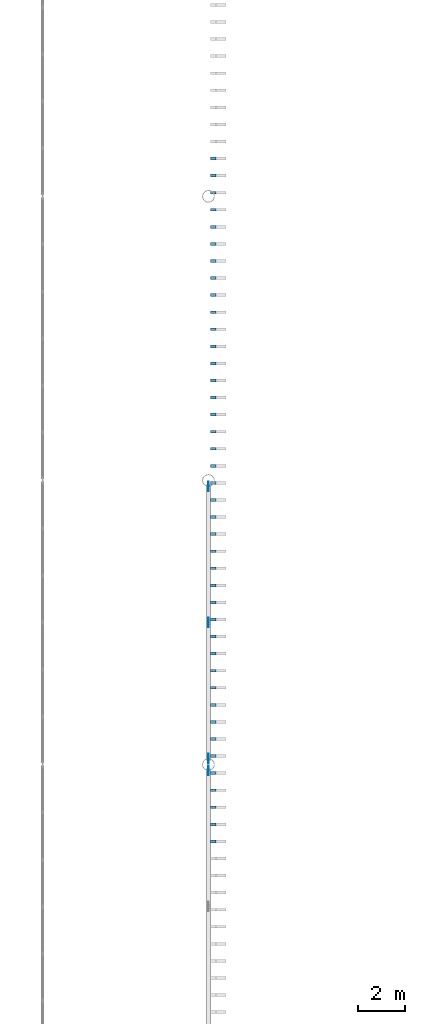
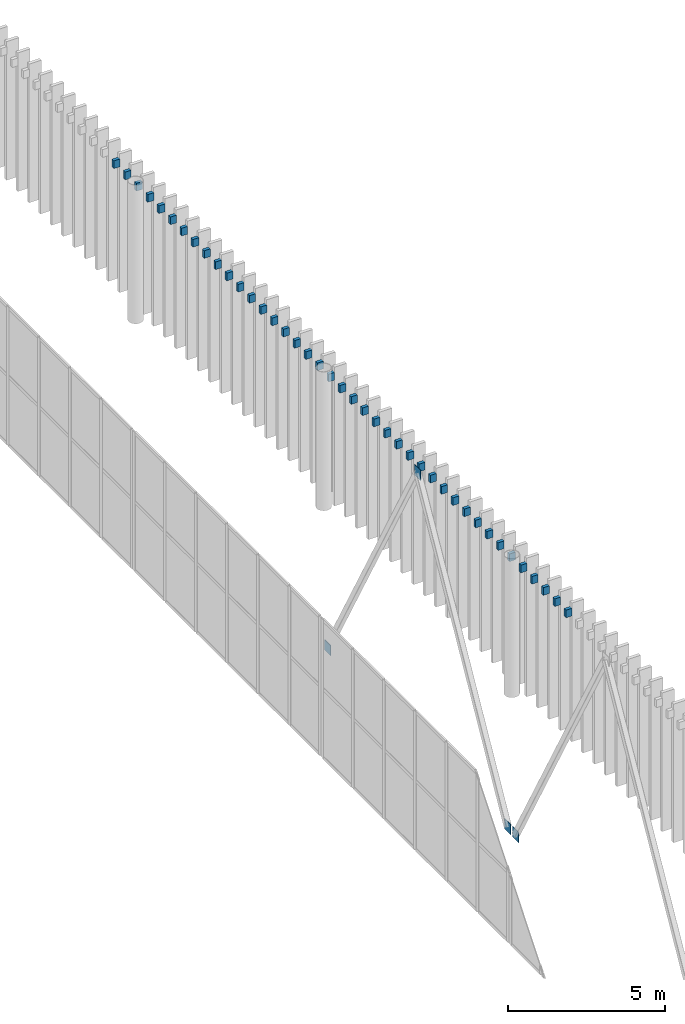
# One storey, part 135 of 170: 45 discrete accessories.
"""IFC4 building model written with IfcOpenShell, lengths in metres."""

from ifc_helpers import new_model, si_unit, direction, frame, origin, origin_2d, place, context, subcontext, project, spatial, rectangle, extrude, material, material_profile, profile_set, type_object, element, save


model = new_model("IFC4")

# Units and contexts
model_context = context("Model", 3, precision=1e-05, world=origin(), true_north=direction((0.0, 1.0)))
body_context = subcontext(model_context, "Body", "Model", "MODEL_VIEW")
ifc_project = project(units=[si_unit("LENGTHUNIT", "METRE"), si_unit("AREAUNIT", "SQUARE_METRE"), si_unit("VOLUMEUNIT", "CUBIC_METRE"), si_unit("PLANEANGLEUNIT", "RADIAN"), si_unit("MASSUNIT", "GRAM", prefix="KILO")], contexts=[model_context])

# Site, building, storey
site_placement = place(None, origin())
site = spatial("IfcSite", under=ifc_project, at=site_placement, CompositionType="ELEMENT")
building_placement = place(site_placement, origin())
building = spatial("IfcBuilding", under=site, at=building_placement, Name="Ravi Spectrum Wholesale Market", CompositionType="ELEMENT")
storey_placement = place(building_placement, frame((0.0, 0.0, 5.39990234375)))
storey = spatial("IfcBuildingStorey", under=building, at=storey_placement, Name="L01", CompositionType="ELEMENT", Elevation=5.39990234375)

# Discrete accessories
ifc_material_1 = material(Name="Steel S355", Category="steel")
discrete_accessory_type_1 = type_object("IfcDiscreteAccessoryType", Name="Fin bracket 120", PredefinedType="BRACKET", material=ifc_material_1)
for number, where, z_axis, x_axis, name in (
    (1, (110.199951171875, 110.75537109375, 4.89990234375), (0.0, 0.0, 1.0), (0.0, 1.0, 0.0), "Fin bracket B466"),
    (2, (110.199951171875, 111.476318359375, 4.89990234375), (0.0, 0.0, 1.0), (0.0, 1.0, 0.0), "Fin bracket B467"),
    (3, (110.199951171875, 112.197509765625, 4.89990234375), (0.0, 0.0, 1.0), (0.0, 1.0, 0.0), "Fin bracket B468"),
    (4, (110.199951171875, 112.91845703125, 4.89990234375), (0.0, 0.0, 1.0), (0.0, 1.0, 0.0), "Fin bracket B469"),
    (5, (110.199951171875, 113.639404296875, 4.89990234375), (0.0, 0.0, 1.0), (0.0, 1.0, 0.0), "Fin bracket B470"),
    (6, (110.199951171875, 114.360595703125, 4.89990234375), (0.0, 0.0, 1.0), (0.0, 1.0, 0.0), "Fin bracket B471"),
    (7, (110.199951171875, 115.08154296875, 4.89990234375), (0.0, 0.0, 1.0), (0.0, 1.0, 0.0), "Fin bracket B472"),
    (8, (110.199951171875, 115.802490234375, 4.89990234375), (0.0, 0.0, 1.0), (0.0, 1.0, 0.0), "Fin bracket B473"),
    (9, (110.199951171875, 116.523681640625, 4.89990234375), (0.0, 0.0, 1.0), (0.0, 1.0, 0.0), "Fin bracket B474"),
    (10, (110.199951171875, 117.24462890625, 4.89990234375), (0.0, 0.0, 1.0), (0.0, 1.0, 0.0), "Fin bracket B475"),
    (11, (110.199951171875, 117.965576171875, 4.89990234375), (0.0, 0.0, 1.0), (0.0, 1.0, 0.0), "Fin bracket B476"),
    (12, (110.199951171875, 118.686767578125, 4.89990234375), (0.0, 0.0, 1.0), (0.0, 1.0, 0.0), "Fin bracket B477"),
    (13, (110.199951171875, 119.40771484375, 4.89990234375), (0.0, 0.0, 1.0), (0.0, 1.0, 0.0), "Fin bracket B478"),
    (14, (110.199951171875, 120.128662109375, 4.89990234375), (0.0, 0.0, 1.0), (0.0, 1.0, 0.0), "Fin bracket B479"),
    (15, (110.199951171875, 120.849853515625, 4.89990234375), (0.0, 0.0, 1.0), (0.0, 1.0, 0.0), "Fin bracket B480"),
    (16, (110.199951171875, 121.57080078125, 4.89990234375), (0.0, 0.0, 1.0), (0.0, 1.0, 0.0), "Fin bracket B481"),
    (17, (110.199951171875, 122.291748046875, 4.89990234375), (0.0, 0.0, 1.0), (0.0, 1.0, 0.0), "Fin bracket B482"),
    (18, (110.199951171875, 123.012939453125, 4.89990234375), (0.0, 0.0, 1.0), (0.0, 1.0, 0.0), "Fin bracket B483"),
    (19, (110.199951171875, 123.73388671875, 4.89990234375), (0.0, 0.0, 1.0), (0.0, 1.0, 0.0), "Fin bracket B484"),
    (20, (110.199951171875, 124.454833984375, 4.89990234375), (0.0, 0.0, 1.0), (0.0, 1.0, 0.0), "Fin bracket B485"),
    (21, (110.199951171875, 125.176025390625, 4.89990234375), (0.0, 0.0, 1.0), (0.0, 1.0, 0.0), "Fin bracket B486"),
    (22, (110.199951171875, 125.89697265625, 4.89990234375), (0.0, 0.0, 1.0), (0.0, 1.0, 0.0), "Fin bracket B487"),
    (23, (110.199951171875, 126.617919921875, 4.89990234375), (0.0, 0.0, 1.0), (0.0, 1.0, 0.0), "Fin bracket B488"),
    (24, (110.199951171875, 127.339111328125, 4.89990234375), (0.0, 0.0, 1.0), (0.0, 1.0, 0.0), "Fin bracket B489"),
    (25, (110.199951171875, 128.06005859375, 4.89990234375), (0.0, 0.0, 1.0), (0.0, 1.0, 0.0), "Fin bracket B490"),
    (26, (110.199951171875, 128.781005859375, 4.89990234375), (0.0, 0.0, 1.0), (0.0, 1.0, 0.0), "Fin bracket B491"),
    (27, (110.199951171875, 129.502197265625, 4.89990234375), (0.0, 0.0, 1.0), (0.0, 1.0, 0.0), "Fin bracket B492"),
    (28, (110.199951171875, 130.22314453125, 4.89990234375), (0.0, 0.0, 1.0), (0.0, 1.0, 0.0), "Fin bracket B493"),
    (29, (110.199951171875, 130.944091796875, 4.89990234375), (0.0, 0.0, 1.0), (0.0, 1.0, 0.0), "Fin bracket B494"),
    (30, (110.199951171875, 131.665283203125, 4.89990234375), (0.0, 0.0, 1.0), (0.0, 1.0, 0.0), "Fin bracket B495"),
    (31, (110.199951171875, 132.38623046875, 4.89990234375), (0.0, 0.0, 1.0), (0.0, 1.0, 0.0), "Fin bracket B496"),
    (32, (110.199951171875, 133.107177734375, 4.89990234375), (0.0, 0.0, 1.0), (0.0, 1.0, 0.0), "Fin bracket B497"),
    (33, (110.199951171875, 133.828369140625, 4.89990234375), (0.0, 0.0, 1.0), (0.0, 1.0, 0.0), "Fin bracket B498"),
    (34, (110.199951171875, 134.54931640625, 4.89990234375), (0.0, 0.0, 1.0), (0.0, 1.0, 0.0), "Fin bracket B499"),
    (35, (110.199951171875, 135.2705078125, 4.89990234375), (0.0, 0.0, 1.0), (0.0, 1.0, 0.0), "Fin bracket B500"),
    (36, (110.199951171875, 135.991455078125, 4.89990234375), (0.0, 0.0, 1.0), (0.0, 1.0, 0.0), "Fin bracket B501"),
    (37, (110.199951171875, 136.71240234375, 4.89990234375), (0.0, 0.0, 1.0), (0.0, 1.0, 0.0), "Fin bracket B502"),
    (38, (110.199951171875, 137.43359375, 4.89990234375), (0.0, 0.0, 1.0), (0.0, 1.0, 0.0), "Fin bracket B503"),
    (39, (110.199951171875, 138.154541015625, 4.89990234375), (0.0, 0.0, 1.0), (0.0, 1.0, 0.0), "Fin bracket B504"),
    (40, (110.199951171875, 138.87548828125, 4.89990234375), (0.0, 0.0, 1.0), (0.0, 1.0, 0.0), "Fin bracket B505"),
    (41, (110.199951171875, 139.5966796875, 4.89990234375), (0.0, 0.0, 1.0), (0.0, 1.0, 0.0), "Fin bracket B506"),
):
    element("IfcDiscreteAccessory", number, at=place(storey_placement, frame(where, z_axis=z_axis, x_axis=x_axis)), inside=storey, type_object=discrete_accessory_type_1, Name=name, PredefinedType="BRACKET", context=body_context, shape_type="SweptSolid", body=[
        extrude(rectangle(XDim=0.1201171875, YDim=0.219970703125, at=origin_2d()), origin(), (0.0, 0.0, 1.0), 0.300048828125),
    ])
ifc_material_2 = material(Name="Steel S355", Category="steel")
ifc_material_profile = material_profile(ifc_material_2, rectangle(XDim=0.39990234375, YDim=0.02001953125, at=origin_2d()))
ifc_profile_set = profile_set([ifc_material_profile], Name="Steel S355")
discrete_accessory_type_2 = type_object("IfcDiscreteAccessoryType", Name="Gusset plate 400x400x20", PredefinedType="BRACKET", material=ifc_profile_set)
for number, where, z_axis, x_axis, name in (
    (42, (110.0, 113.74609375, -5.55078125), (0.0, 0.0, 1.0), (0.0, -1.0, 0.0), "Gusset plate"),
    (43, (110.0, 114.25390625, -5.55078125), (0.0, 0.0, 1.0), (0.0, 1.0, 0.0), "Gusset plate"),
):
    element("IfcDiscreteAccessory", number, at=place(storey_placement, frame(where, z_axis=z_axis, x_axis=x_axis)), inside=storey, type_object=discrete_accessory_type_2, Name=name, PredefinedType="BRACKET", context=body_context, shape_type="SweptSolid", body=[
        extrude(rectangle(XDim=0.39990234375, YDim=0.02001953125, at=origin_2d()), origin(), (0.0, 0.0, 1.0), 0.39990234375),
    ])
discrete_accessory_1_placement = place(storey_placement, frame((110.0, 120.0, 4.75), z_axis=(0.0, 0.0, 1.0), x_axis=(0.0, 1.0, 0.0)))
element("IfcDiscreteAccessory", 44, at=discrete_accessory_1_placement, inside=storey, type_object=discrete_accessory_type_2, Name="Gusset plate", PredefinedType="BRACKET", context=body_context, shape_type="SweptSolid", body=[
    extrude(rectangle(XDim=0.39990234375, YDim=0.02001953125, at=origin_2d()), origin(), (0.0, 0.0, 1.0), 0.400146484375),
])
discrete_accessory_2_placement = place(storey_placement, frame((110.0, 125.74609375, -5.55078125), z_axis=(0.0, 0.0, 1.0), x_axis=(0.0, -1.0, 0.0)))
element("IfcDiscreteAccessory", 45, at=discrete_accessory_2_placement, inside=storey, type_object=discrete_accessory_type_2, Name="Gusset plate", PredefinedType="BRACKET", context=body_context, shape_type="SweptSolid", body=[
    extrude(rectangle(XDim=0.39990234375, YDim=0.02001953125, at=origin_2d()), origin(), (0.0, 0.0, 1.0), 0.39990234375),
])

save(model, "model.ifc")
